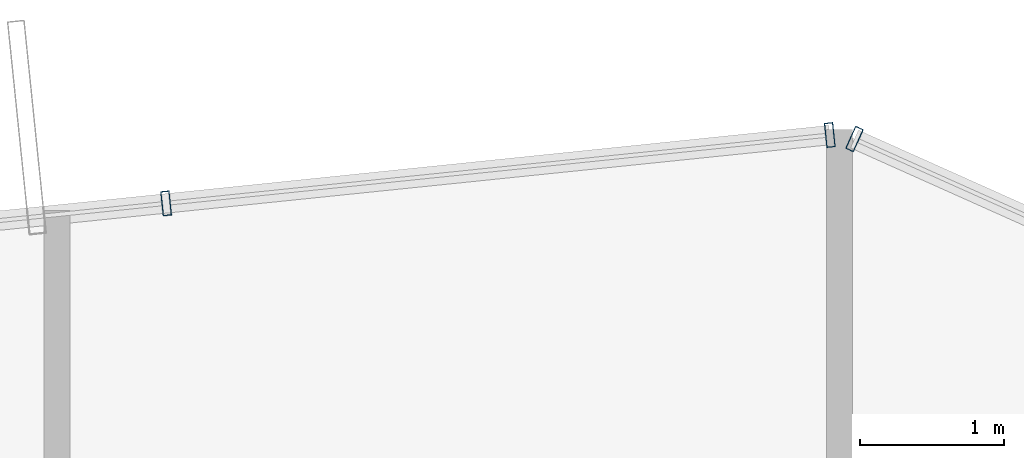
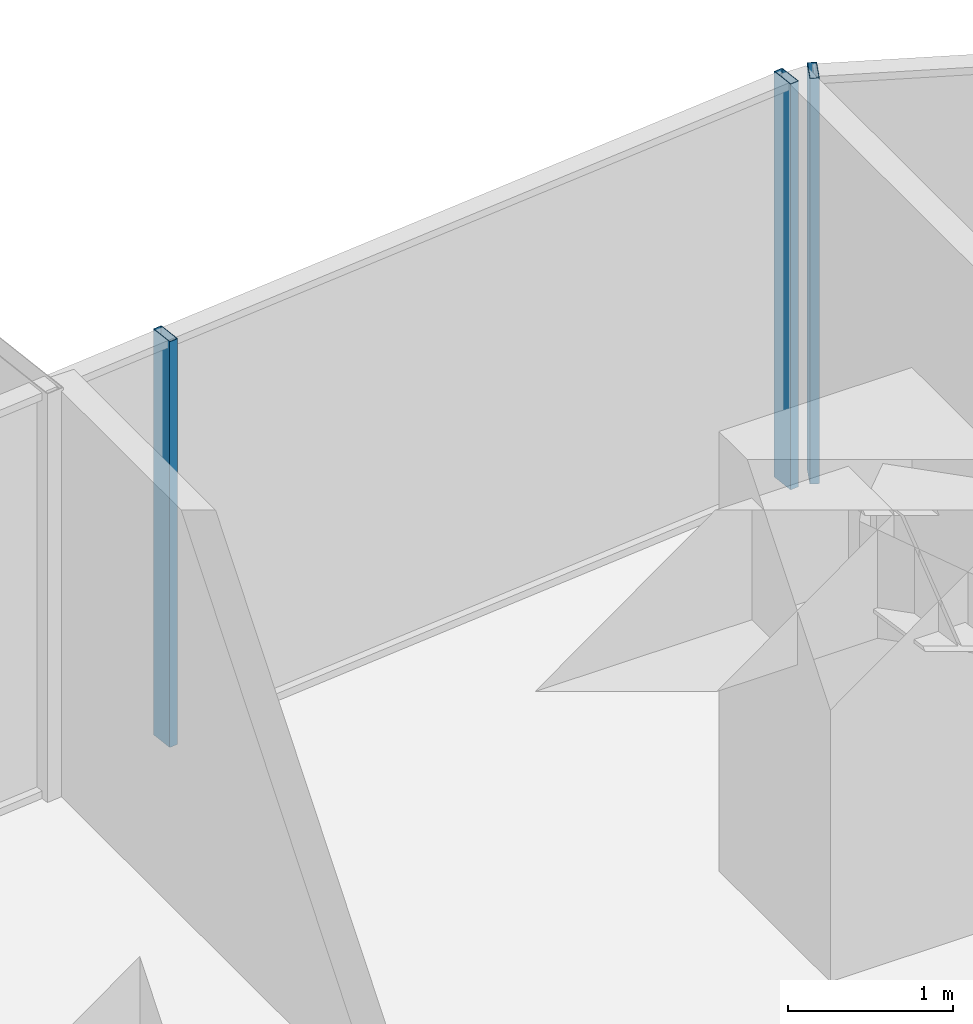
# One storey, part 27 of 37: 3 members, 2 elements without a shape of their own.
"""IFC4 building model written with IfcOpenShell, lengths in metres."""

from ifc_helpers import new_model, si_unit, direction, frame, origin, origin_2d, place, context, subcontext, project, spatial, hollow_rectangle, extrude, source, transform, mapped, material, layer, layer_set, material_profile, profile_set, type_object, element, aggregate, save


model = new_model("IFC4")

# Units and contexts
model_context = context("Model", 3, precision=1e-05, world=origin(), true_north=direction((0.0, 1.0)))
body_context = subcontext(model_context, "Body", "Model", "MODEL_VIEW")
ifc_project = project(units=[si_unit("LENGTHUNIT", "METRE"), si_unit("AREAUNIT", "SQUARE_METRE"), si_unit("VOLUMEUNIT", "CUBIC_METRE"), si_unit("PLANEANGLEUNIT", "RADIAN"), si_unit("MASSUNIT", "GRAM", prefix="KILO")], contexts=[model_context])

# Site, building, storey
site_placement = place(None, origin())
site = spatial("IfcSite", under=ifc_project, at=site_placement, CompositionType="ELEMENT")
building_placement = place(site_placement, origin())
building = spatial("IfcBuilding", under=site, at=building_placement, Name="Veraguas Prism Commons", CompositionType="ELEMENT")
storey_placement = place(building_placement, frame((0.0, 0.0, 43.550048828125)))
storey = spatial("IfcBuildingStorey", under=building, at=storey_placement, Name="L11", CompositionType="ELEMENT", Elevation=43.550048828125)

# Curtain wall, members
ifc_material = material(Name="Anodised aluminium EN AW-6063 T6", Category="aluminium")
ifc_layer = layer(ifc_material, 0.169921875, Name="Unitised Flush Curtain Wall Zone 1", Category="aluminium")
ifc_layer_set = layer_set([ifc_layer], Name="Anodised aluminium EN AW-6063 T6")
curtain_wall_type = type_object("IfcCurtainWallType", Name="Unitised Flush Curtain Wall Zone 1", PredefinedType="NOTDEFINED", material=ifc_layer_set)
curtain_wall_1_placement = place(storey_placement, origin())
curtain_wall_1 = element("IfcCurtainWall", 1, at=curtain_wall_1_placement, inside=storey, type_object=curtain_wall_type, Name="Tower Facade Curtain Wall L11-F2", PredefinedType="NOTDEFINED")
ifc_material_profile = material_profile(ifc_material, hollow_rectangle(XDim=0.06005859375, YDim=0.169921875, WallThickness=0.00390625, at=origin_2d()), Name="AL60X170X4")
ifc_profile_set = profile_set([ifc_material_profile], Name="Anodised aluminium EN AW-6063 T6")
member_type = type_object("IfcMemberType", Name="Curtain Wall Mullion Lower AL 60x170x4", PredefinedType="MULLION", material=ifc_profile_set)
shared_shape = source(origin(), body_context, "Body", "SweptSolid", [
    extrude(hollow_rectangle(XDim=0.06005859375, YDim=0.169921875, WallThickness=0.00390625, at=origin_2d()), origin(), (0.0, 0.0, 1.0), 3.0),
])
member_1_placement = place(storey_placement, frame((31.133544921875, 45.629150390625, 0.0), z_axis=(0.0, 0.0, 1.0), x_axis=(-0.994738459078, -0.102447049893, 0.0)))
member_1 = element("IfcMember", 2, at=member_1_placement, type_object=member_type, Name="CW-Z1 Mullion 1", PredefinedType="MULLION", context=body_context, shape_type="MappedRepresentation", body=[
    mapped(shared_shape, transform((0.0, 0.0, 0.0), scale=1.0)),
])
member_2_placement = place(storey_placement, frame((26.51708984375, 45.15380859375, 0.0), z_axis=(0.0, 0.0, 1.0), x_axis=(-0.994738459078, -0.102447049893, 0.0)))
member_2 = element("IfcMember", 3, at=member_2_placement, type_object=member_type, Name="CW-Z1 Mullion 2", PredefinedType="MULLION", context=body_context, shape_type="MappedRepresentation", body=[
    mapped(shared_shape, transform((0.0, 0.0, 0.0), scale=1.0)),
])
aggregate(curtain_wall_1, [member_1, member_2])

# Curtain wall, member
curtain_wall_2_placement = place(storey_placement, origin())
curtain_wall_2 = element("IfcCurtainWall", 4, at=curtain_wall_2_placement, inside=storey, type_object=curtain_wall_type, Name="Chamfer Curtain Wall L11-C2", PredefinedType="NOTDEFINED")
member_3_placement = place(storey_placement, frame((31.305419921875, 45.6015625, 0.0), z_axis=(0.0, 0.0, 1.0), x_axis=(-0.912686594745, 0.408660225337, 0.0)))
member_3 = element("IfcMember", 5, at=member_3_placement, type_object=member_type, Name="CW-Z1 Mullion 2", PredefinedType="MULLION", context=body_context, shape_type="MappedRepresentation", body=[
    mapped(shared_shape, transform((0.0, 0.0, 0.0), scale=1.0)),
])
aggregate(curtain_wall_2, [member_3])

save(model, "model.ifc")
